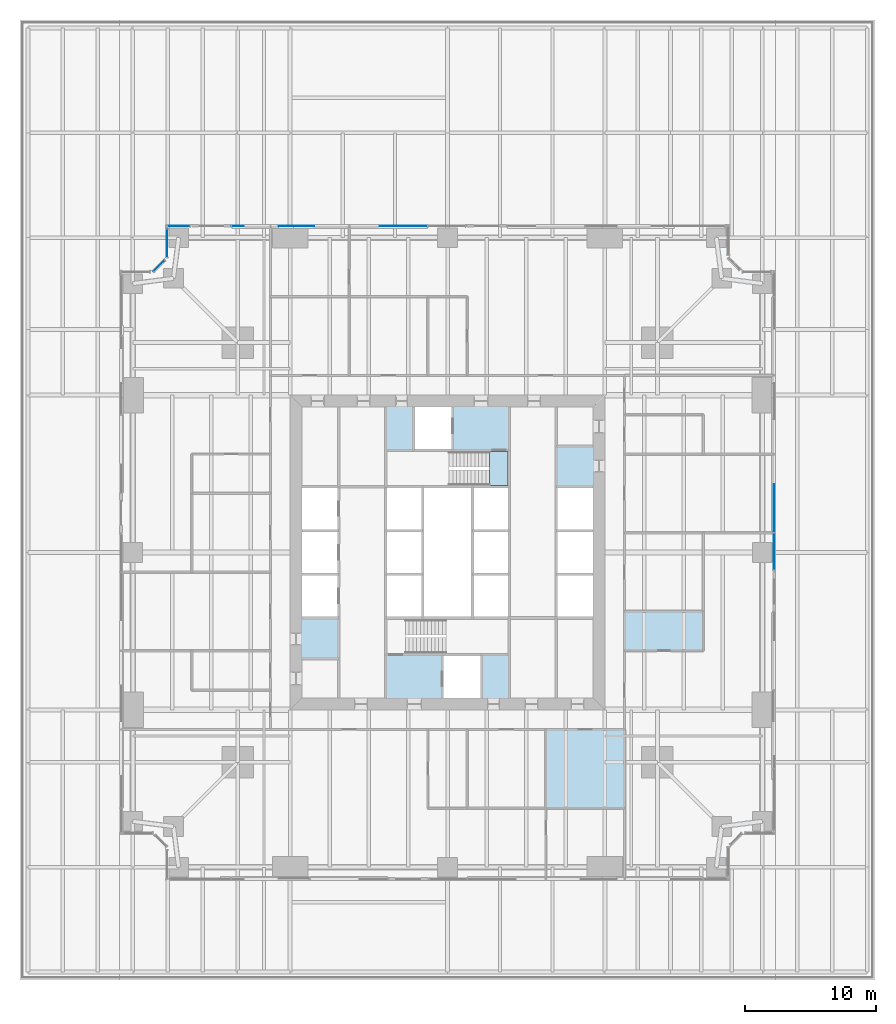
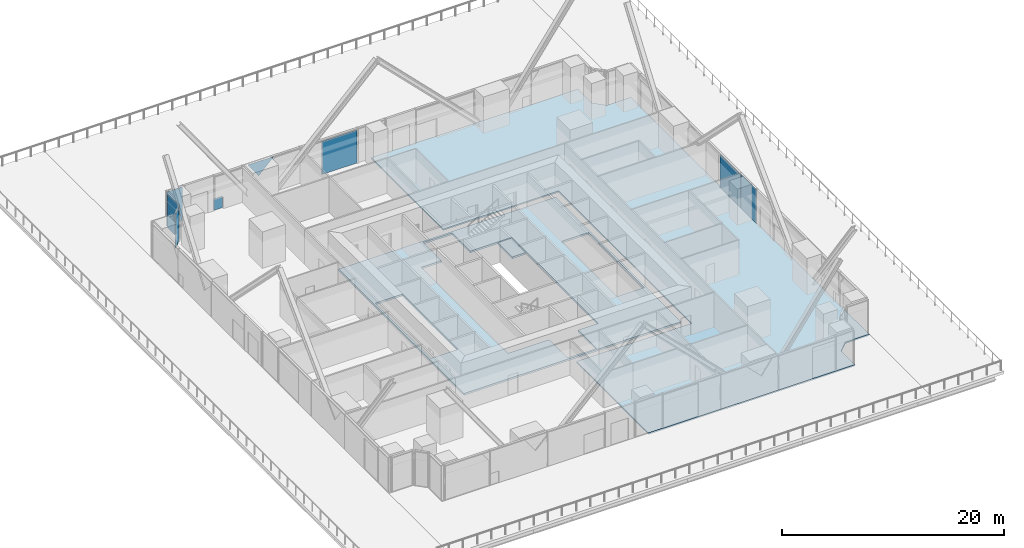
# One storey, part 13 of 21: 8 plates, 3 slabs, 6 elements without a shape of their own.
"""IFC4 building model written with IfcOpenShell, lengths in metres."""

from ifc_helpers import new_model, si_unit, direction, frame, origin, origin_2d, place, context, subcontext, project, spatial, polyline, rectangle, outline, extrude, material, layer, layer_set, type_object, element, aggregate, save


model = new_model("IFC4")

# Units and contexts
model_context = context("Model", 3, precision=1e-05, world=origin(), true_north=direction((0.0, 1.0)))
body_context = subcontext(model_context, "Body", "Model", "MODEL_VIEW")
ifc_project = project(units=[si_unit("LENGTHUNIT", "METRE"), si_unit("AREAUNIT", "SQUARE_METRE"), si_unit("VOLUMEUNIT", "CUBIC_METRE"), si_unit("PLANEANGLEUNIT", "RADIAN"), si_unit("MASSUNIT", "GRAM", prefix="KILO")], contexts=[model_context])

# Site, building, storey
site_placement = place(None, origin())
site = spatial("IfcSite", under=ifc_project, at=site_placement, CompositionType="ELEMENT")
building_placement = place(site_placement, origin())
building = spatial("IfcBuilding", under=site, at=building_placement, Name="Fenwick Lantern Interchange", CompositionType="ELEMENT")
storey_placement = place(building_placement, frame((0.0, 0.0, 31.0)))
storey = spatial("IfcBuildingStorey", under=building, at=storey_placement, Name="L06", CompositionType="ELEMENT", Elevation=31.0)

# Slabs
ifc_material_1 = material(Name="Concrete f'c 35 MPa", Category="concrete")
ifc_layer_1 = layer(ifc_material_1, 0.199951171875)
ifc_layer_set_1 = layer_set([ifc_layer_1], Name="CORE FLOOR SLAB 200")
slab_type_1 = type_object("IfcSlabType", Name="CORE FLOOR SLAB 200", PredefinedType="FLOOR", material=ifc_layer_set_1)
slab_1_placement = place(storey_placement, frame((0.0, 0.0, -0.199951171875)))
element("IfcSlab", 1, at=slab_1_placement, inside=storey, type_object=slab_type_1, Name="L06/SLAB/CORE", PredefinedType="FLOOR", context=body_context, shape_type="SweptSolid", body=[
    extrude(outline(polyline([(13.699951171875, 36.300048828125), (36.300048828125, 36.300048828125), (36.300048828125, 13.699951171875), (13.699951171875, 13.699951171875), (13.699951171875, 36.300048828125)]), holes=[polyline([(13.89990234375, 20.0), (16.699951171875, 20.0), (16.699951171875, 23.333251953125), (16.699951171875, 26.666748046875), (16.699951171875, 30.0), (13.89990234375, 30.0), (13.89990234375, 26.666748046875), (13.89990234375, 23.333251953125), (13.89990234375, 20.0)]), polyline([(20.300048828125, 20.0), (20.300048828125, 17.199951171875), (24.60009765625, 17.199951171875), (24.60009765625, 13.89990234375), (27.60009765625, 13.89990234375), (27.60009765625, 17.199951171875), (29.699951171875, 17.199951171875), (29.699951171875, 20.0), (29.699951171875, 23.333251953125), (29.699951171875, 26.666748046875), (29.699951171875, 30.0), (29.699951171875, 32.800048828125), (25.39990234375, 32.800048828125), (25.39990234375, 36.10009765625), (22.39990234375, 36.10009765625), (22.39990234375, 32.800048828125), (20.300048828125, 32.800048828125), (20.300048828125, 30.0), (20.300048828125, 26.666748046875), (20.300048828125, 23.333251953125), (20.300048828125, 20.0)]), polyline([(33.300048828125, 23.333251953125), (33.300048828125, 20.0), (36.10009765625, 20.0), (36.10009765625, 23.333251953125), (36.10009765625, 26.666748046875), (36.10009765625, 30.0), (33.300048828125, 30.0), (33.300048828125, 26.666748046875), (33.300048828125, 23.333251953125)])]), origin(), (0.0, 0.0, 1.0), 0.199951171875),
])
ifc_material_2 = material(Name="Concrete f'c 35 MPa", Category="concrete")
ifc_layer_2 = layer(ifc_material_2, 0.14990234375)
ifc_layer_set_2 = layer_set([ifc_layer_2], Name="Concrete f'c 35 MPa")
slab_type_2 = type_object("IfcSlabType", Name="FLOOR SLAB 150", PredefinedType="FLOOR", material=ifc_layer_set_2)
slab_2_placement = place(storey_placement, frame((0.0, 0.0, -0.14990234375)))
element("IfcSlab", 2, at=slab_2_placement, inside=storey, type_object=slab_type_2, Name="L06/SLAB/FE", PredefinedType="FLOOR", context=body_context, shape_type="SweptSolid", body=[
    extrude(outline(polyline([(46.5, 50.0), (46.5, 47.5), (47.5, 46.5), (50.0, 46.5), (50.0, 3.5), (47.5, 3.5), (46.5, 2.5), (46.5, 0.0), (25.0, 0.0), (25.0, 13.0), (37.0, 13.0), (37.0, 37.0), (25.0, 37.0), (25.0, 50.0), (46.5, 50.0)])), origin(), (0.0, 0.0, 1.0), 0.14990234375),
])

# Curtain wall, plates
ifc_material_3 = material(Name="Aluminium curtain wall frame", Category="aluminium")
curtain_wall_type = type_object("IfcCurtainWallType", Name="OFFICE CURTAIN WALL", PredefinedType="USERDEFINED", material=ifc_material_3)
curtain_wall_1_placement = place(storey_placement, origin())
curtain_wall_1 = element("IfcCurtainWall", 3, at=curtain_wall_1_placement, inside=storey, type_object=curtain_wall_type, Name="Office curtain wall 05B", ObjectType="OFFICE CURTAIN WALL", PredefinedType="USERDEFINED")
ifc_material_4 = material(Name="Vision glass, clear low-iron double glazed", Category="glass")
ifc_layer_3 = layer(ifc_material_4, 0.031982421875)
ifc_layer_set_3 = layer_set([ifc_layer_3], Name="OFFICE CURTAIN WALL PANEL 32")
plate_type = type_object("IfcPlateType", Name="OFFICE CURTAIN WALL PANEL 32", PredefinedType="CURTAIN_PANEL", material=ifc_layer_set_3)
plate_1_placement = place(storey_placement, frame((49.89990234375, 25.066162109375, 0.0), z_axis=(0.0, 0.0, 1.0), x_axis=(0.0, 1.0, 0.0)))
plate_1 = element("IfcPlate", 4, at=plate_1_placement, type_object=plate_type, Name="L06/CW/05B/P00", PredefinedType="CURTAIN_PANEL", context=body_context, shape_type="SweptSolid", body=[
    extrude(rectangle(XDim=2.802490234375, YDim=0.031982421875, at=origin_2d()), origin(), (0.0, 0.0, 1.0), 3.75),
])
plate_2_placement = place(storey_placement, frame((49.89990234375, 23.5, 0.0), z_axis=(0.0, 0.0, 1.0), x_axis=(0.0, 1.0, 0.0)))
plate_2 = element("IfcPlate", 5, at=plate_2_placement, type_object=plate_type, Name="L06/CW/05B/P01a", PredefinedType="CURTAIN_PANEL", context=body_context, shape_type="SweptSolid", body=[
    extrude(outline(polyline([(3.032470703125, 0.0), (6.6826171875, 0.0), (6.6826171875, 3.65576171875), (3.032470703125, 3.65576171875), (3.032470703125, 0.0)])), frame((0.0, 0.01611328125, 0.0), z_axis=(0.0, -1.0, 0.0), x_axis=(1.0, 0.0, 0.0)), (0.0, 0.0, 1.0), 0.031982421875),
])
aggregate(curtain_wall_1, [plate_1, plate_2])

curtain_wall_2_placement = place(storey_placement, origin())
curtain_wall_2 = element("IfcCurtainWall", 6, at=curtain_wall_2_placement, inside=storey, type_object=curtain_wall_type, Name="Office curtain wall 09B", ObjectType="OFFICE CURTAIN WALL", PredefinedType="USERDEFINED")
plate_3_placement = place(storey_placement, frame((26.5, 49.89990234375, 0.0), z_axis=(0.0, 0.0, 1.0), x_axis=(-1.0, 0.0, 0.0)))
plate_3 = element("IfcPlate", 7, at=plate_3_placement, type_object=plate_type, Name="L06/CW/09B/P01a", PredefinedType="CURTAIN_PANEL", context=body_context, shape_type="SweptSolid", body=[
    extrude(outline(polyline([(3.032470703125, 0.0), (6.6826171875, 0.0), (6.6826171875, 3.65576171875), (3.032470703125, 3.65576171875), (3.032470703125, 0.0)])), frame((0.0, 0.01611328125, 0.0), z_axis=(0.0, -1.0, 0.0), x_axis=(1.0, 0.0, 0.0)), (0.0, 0.0, 1.0), 0.031982421875),
])
plate_4_placement = place(storey_placement, frame((26.5, 49.89990234375, 2.158935546875), z_axis=(0.0, 0.0, 1.0), x_axis=(-1.0, 0.0, 0.0)))
plate_4 = element("IfcPlate", 8, at=plate_4_placement, type_object=plate_type, Name="L06/CW/09B/P02a", PredefinedType="CURTAIN_PANEL", context=body_context, shape_type="SweptSolid", body=[
    extrude(outline(polyline([(13.26416015625, 0.0), (14.389404296875, 1.591064453125), (11.675537109375, 1.591064453125), (13.26416015625, 0.0)])), frame((0.0, 0.01611328125, 0.0), z_axis=(0.0, -1.0, 0.0), x_axis=(1.0, 0.0, 0.0)), (0.0, 0.0, 1.0), 0.031982421875),
])
plate_5_placement = place(storey_placement, frame((26.5, 49.89990234375, 0.0), z_axis=(0.0, 0.0, 1.0), x_axis=(-1.0, 0.0, 0.0)))
plate_5 = element("IfcPlate", 9, at=plate_5_placement, type_object=plate_type, Name="L06/CW/09B/P03a", PredefinedType="CURTAIN_PANEL", context=body_context, shape_type="SweptSolid", body=[
    extrude(outline(polyline([(17.041748046875, 0.0), (17.93505859375, 0.0), (17.93505859375, 1.265625), (17.041748046875, 1.265625), (17.041748046875, 0.0)])), frame((0.0, 0.01611328125, 0.0), z_axis=(0.0, -1.0, 0.0), x_axis=(1.0, 0.0, 0.0)), (0.0, 0.0, 1.0), 0.031982421875),
])
aggregate(curtain_wall_2, [plate_3, plate_4, plate_5])

# Curtain wall, plate
curtain_wall_3_placement = place(storey_placement, origin())
curtain_wall_3 = element("IfcCurtainWall", 10, at=curtain_wall_3_placement, inside=storey, type_object=curtain_wall_type, Name="Office curtain wall 09C", ObjectType="OFFICE CURTAIN WALL", PredefinedType="USERDEFINED")
plate_6_placement = place(storey_placement, frame((4.5, 49.89990234375, 0.0), z_axis=(0.0, 0.0, 1.0), x_axis=(-1.0, 0.0, 0.0)))
plate_6 = element("IfcPlate", 11, at=plate_6_placement, type_object=plate_type, Name="L06/CW/09C/P00", PredefinedType="CURTAIN_PANEL", context=body_context, shape_type="SweptSolid", body=[
    extrude(rectangle(XDim=1.669921875, YDim=0.031982421875, at=origin_2d()), origin(), (0.0, 0.0, 1.0), 3.75),
])
aggregate(curtain_wall_3, [plate_6])

curtain_wall_4_placement = place(storey_placement, origin())
curtain_wall_4 = element("IfcCurtainWall", 12, at=curtain_wall_4_placement, inside=storey, type_object=curtain_wall_type, Name="Office curtain wall 10", ObjectType="OFFICE CURTAIN WALL", PredefinedType="USERDEFINED")
plate_7_placement = place(storey_placement, frame((3.60009765625, 48.579345703125, 0.0), z_axis=(0.0, 0.0, 1.0), x_axis=(0.0, -1.0, 0.0)))
plate_7 = element("IfcPlate", 13, at=plate_7_placement, type_object=plate_type, Name="L06/CW/10/P00", PredefinedType="CURTAIN_PANEL", context=body_context, shape_type="SweptSolid", body=[
    extrude(rectangle(XDim=2.111328125, YDim=0.031982421875, at=origin_2d()), origin(), (0.0, 0.0, 1.0), 3.75),
])
aggregate(curtain_wall_4, [plate_7])

curtain_wall_5_placement = place(storey_placement, origin())
curtain_wall_5 = element("IfcCurtainWall", 14, at=curtain_wall_5_placement, inside=storey, type_object=curtain_wall_type, Name="Office curtain wall 11", ObjectType="OFFICE CURTAIN WALL", PredefinedType="USERDEFINED")
plate_8_placement = place(storey_placement, frame((3.0, 46.858642578125, 0.0), z_axis=(0.0, 0.0, 1.0), x_axis=(-0.707106781187, -0.707106781187, 0.0)))
plate_8 = element("IfcPlate", 15, at=plate_8_placement, type_object=plate_type, Name="L06/CW/11/P00", PredefinedType="CURTAIN_PANEL", context=body_context, shape_type="SweptSolid", body=[
    extrude(rectangle(XDim=1.1669921875, YDim=0.031982421875, at=origin_2d()), origin(), (0.0, 0.0, 1.0), 3.75),
])
aggregate(curtain_wall_5, [plate_8])

# Stair, slab
ifc_material_5 = material(Name="Precast concrete f'c 35 MPa", Category="concrete")
stair_type = type_object("IfcStairType", Name="EXIT STAIR 1200", PredefinedType="HALF_TURN_STAIR", material=ifc_material_5)
stair_placement = place(storey_placement, origin())
stair = element("IfcStair", 16, at=stair_placement, inside=storey, type_object=stair_type, Name="Exit stair ST2", PredefinedType="HALF_TURN_STAIR")
ifc_layer_4 = layer(ifc_material_1, 0.199951171875)
ifc_layer_set_4 = layer_set([ifc_layer_4], Name="STAIR LANDING 200")
slab_type_3 = type_object("IfcSlabType", Name="STAIR LANDING 200", PredefinedType="LANDING", material=ifc_layer_set_4)
slab_3_placement = place(storey_placement, frame((0.0, 0.0, -0.199951171875)))
slab_3 = element("IfcSlab", 17, at=slab_3_placement, type_object=slab_type_3, Name="ST2 landing 2", PredefinedType="LANDING", context=body_context, shape_type="SweptSolid", body=[
    extrude(outline(polyline([(29.60009765625, 32.699951171875), (28.199951171875, 32.699951171875), (28.199951171875, 30.10009765625), (29.60009765625, 30.10009765625), (29.60009765625, 32.699951171875)])), origin(), (0.0, 0.0, 1.0), 0.199951171875),
])
aggregate(stair, [slab_3])

save(model, "model.ifc")
